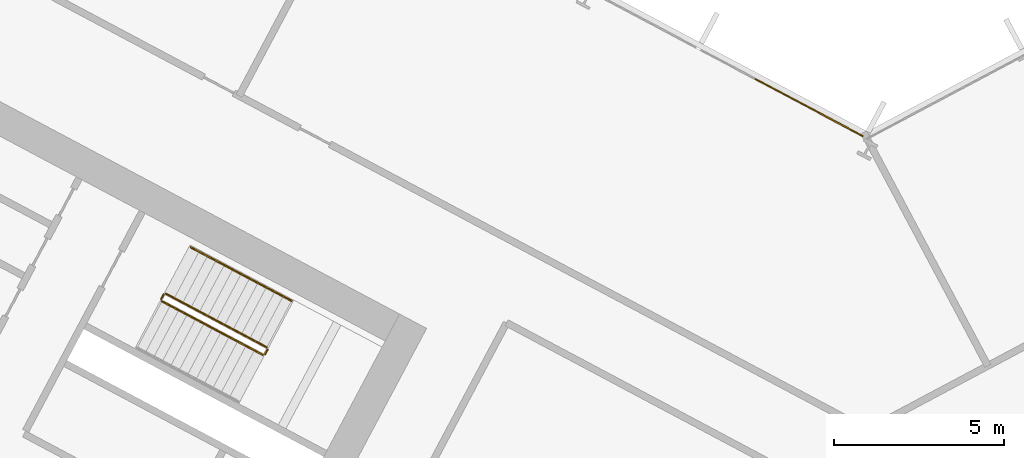
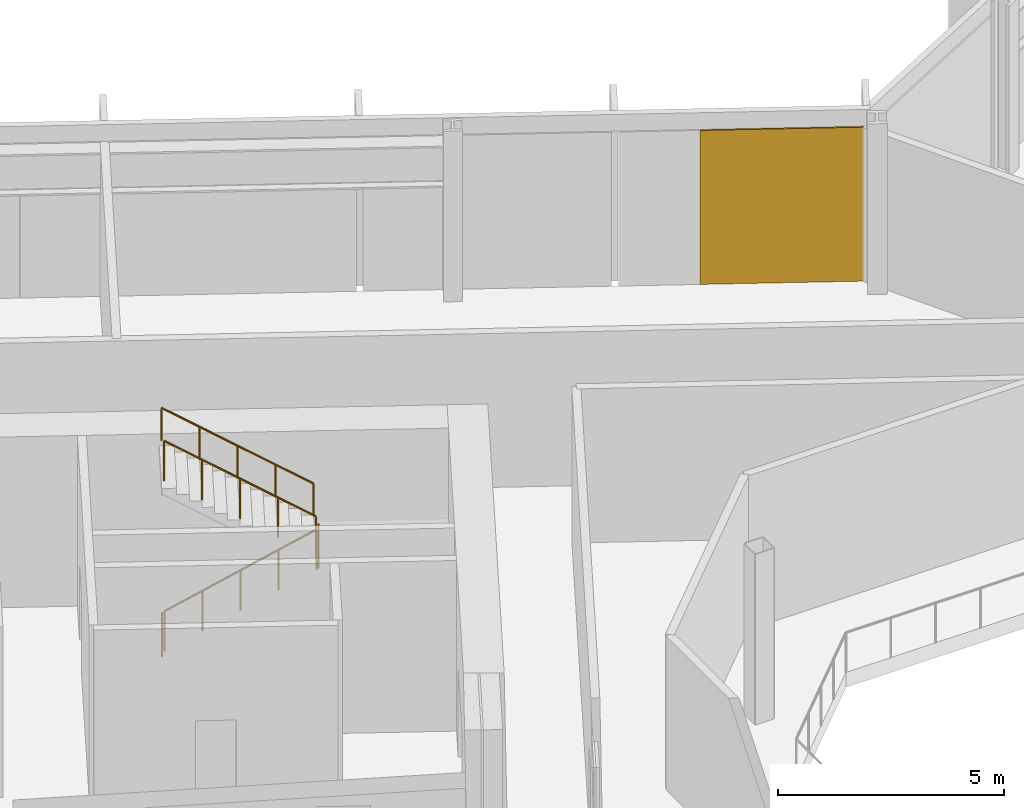
# One storey, part 25 of 31: 5 railings, 1 covering, 1 element without a shape of its own.
"""IFC4 building model written with IfcOpenShell, lengths in metres."""

import ifcopenshell
import ifcopenshell.guid

model = None  # the IFC model being written
_history = None  # IfcOwnerHistory: only IFC2X3 demands one
_inside = {}  # id of a spatial element -> (the spatial element, [elements in it])
_under = {}  # id of a project, library or spatial element -> (it, [spatial elements below it])
_declared = {}  # id of a project -> (the project, [libraries it declares])
_typed = {}  # id of a type object -> (the type object, [elements of that type])
_made_of = {}  # id of a material, layer set ... -> (it, [elements and type objects made of it])


def new_model(schema):
    """Start an empty IFC model of exactly this schema.

    Asked for "IFC4X3", IfcOpenShell would pick the latest addendum, in which some entities
    have other attributes; the version numbers below select the first issue.
    IFC2X3 requires an IfcOwnerHistory on every rooted entity: one is made here for all.
    """
    global model, _history
    if schema == "IFC4X3":
        model = ifcopenshell.file(schema_version=(4, 3, 0, 0))
    else:
        model = ifcopenshell.file(schema=schema)
    _inside.clear()
    _under.clear()
    _declared.clear()
    _typed.clear()
    _made_of.clear()
    _history = None
    if model.schema == "IFC2X3":
        org = make("IfcOrganization", Name="unknown")
        user = make(
            "IfcPersonAndOrganization",
            ThePerson=make("IfcPerson", FamilyName="unknown"),
            TheOrganization=org,
        )
        app = make(
            "IfcApplication",
            ApplicationDeveloper=org,
            Version="unknown",
            ApplicationFullName="unknown",
            ApplicationIdentifier="unknown",
        )
        _history = make(
            "IfcOwnerHistory",
            OwningUser=user,
            OwningApplication=app,
            ChangeAction="ADDED",
            CreationDate=0,
        )
    return model


def make(cls, **values):
    """One entity of the class cls with the attributes given. An attribute that is None is left unset."""
    return model.create_entity(
        cls, **{name: value for name, value in values.items() if value is not None}
    )


def rooted(cls, **values):
    """An entity with a GlobalId (a new one), such as an element, a storey or a relation."""
    return make(cls, GlobalId=ifcopenshell.guid.new(), OwnerHistory=_history, **values)


def si_unit(unit_type, name, prefix=None):
    """IfcSIUnit, for example si_unit("LENGTHUNIT", "METRE", prefix="MILLI")."""
    return make("IfcSIUnit", UnitType=unit_type, Prefix=prefix, Name=name)


def assignment(units):
    """IfcUnitAssignment: the units of a project."""
    return None if units is None else make("IfcUnitAssignment", Units=units)


def point(xyz):
    """IfcCartesianPoint."""
    return None if xyz is None else make("IfcCartesianPoint", Coordinates=xyz)


def direction(xyz):
    """IfcDirection."""
    return None if xyz is None else make("IfcDirection", DirectionRatios=xyz)


def frame(location, z_axis=None, x_axis=None):
    """IfcAxis2Placement3D, a coordinate frame: its origin and axes. An axis left out is left unset."""
    return make(
        "IfcAxis2Placement3D",
        Location=point(location),
        Axis=direction(z_axis),
        RefDirection=direction(x_axis),
    )


def frame_2d(location, x_axis=None):
    """IfcAxis2Placement2D, a coordinate frame in the plane: its origin and x axis."""
    return make(
        "IfcAxis2Placement2D", Location=point(location), RefDirection=direction(x_axis)
    )


def origin():
    """The frame at (0, 0, 0) with its axes left unset."""
    return frame((0.0, 0.0, 0.0))


def origin_2d():
    """The frame at (0, 0) in the plane with its x axis left unset."""
    return frame_2d((0.0, 0.0))


def place(relative_to, where):
    """IfcLocalPlacement: puts the frame where relative to a parent placement (None: the world)."""
    return make(
        "IfcLocalPlacement", PlacementRelTo=relative_to, RelativePlacement=where
    )


def context(
    kind, dimensions, precision=None, world=None, true_north=None, identifier=None
):
    """IfcGeometricRepresentationContext, for example the 3D "Model" context."""
    return make(
        "IfcGeometricRepresentationContext",
        ContextIdentifier=identifier,
        ContextType=kind,
        CoordinateSpaceDimension=dimensions,
        Precision=precision,
        WorldCoordinateSystem=world,
        TrueNorth=true_north,
    )


def subcontext(parent, identifier, kind, view, scale=None):
    """IfcGeometricRepresentationSubContext, for example "Body" below "Model"."""
    return make(
        "IfcGeometricRepresentationSubContext",
        ContextIdentifier=identifier,
        ContextType=kind,
        ParentContext=parent,
        TargetScale=scale,
        TargetView=view,
    )


def project(units=None, contexts=None):
    """IfcProject with its units and contexts."""
    return rooted(
        "IfcProject",
        Name="project",
        RepresentationContexts=contexts,
        UnitsInContext=assignment(units),
    )


def spatial(cls, under=None, at=None, **own):
    """A site, building, storey or space (cls), placed at a placement, below another one or the project."""
    s = rooted(cls, ObjectPlacement=at, **own)
    if under is not None:
        _under.setdefault(under.id(), (under, []))[1].append(s)
    return s


def polyline(points):
    """IfcPolyline through the points."""
    return make("IfcPolyline", Points=[point(p) for p in points])


def profile(cls, at=None, kind="AREA", **sizes):
    """A parametric profile (cls). Its sizes go by their IFC names, for example OverallWidth=200.0."""
    return make(cls, ProfileType=kind, Position=at, **sizes)


def rectangle(**sizes):
    """IfcRectangleProfileDef."""
    return profile("IfcRectangleProfileDef", **sizes)


def outline(outer, holes=None, kind="AREA"):
    """IfcArbitraryClosedProfileDef: a profile drawn as a closed curve; with holes, ...WithVoids."""
    if holes is None:
        return make("IfcArbitraryClosedProfileDef", ProfileType=kind, OuterCurve=outer)
    return make(
        "IfcArbitraryProfileDefWithVoids",
        ProfileType=kind,
        OuterCurve=outer,
        InnerCurves=holes,
    )


def extrude(swept, where, along, depth):
    """IfcExtrudedAreaSolid: the profile swept, set in the frame where, extruded along a direction by depth."""
    return make(
        "IfcExtrudedAreaSolid",
        SweptArea=swept,
        Position=where,
        ExtrudedDirection=direction(along),
        Depth=depth,
    )


def shape(context_of_items, identifier, shape_type, items):
    """IfcShapeRepresentation: the items that make up one representation, for example the "Body"."""
    return make(
        "IfcShapeRepresentation",
        ContextOfItems=context_of_items,
        RepresentationIdentifier=identifier,
        RepresentationType=shape_type,
        Items=items,
    )


def material(Name=None, Category=None):
    """IfcMaterial."""
    return make("IfcMaterial", Name=Name, Category=Category)


def layer(
    of_material, thickness, ventilated=None, Name=None, Category=None, Priority=None
):
    """IfcMaterialLayer: one layer of a wall or slab, of a material (None: an air gap)."""
    return make(
        "IfcMaterialLayer",
        Material=of_material,
        LayerThickness=thickness,
        IsVentilated=ventilated,
        Name=Name,
        Category=Category,
        Priority=Priority,
    )


def layer_set(layers, Name=None):
    """IfcMaterialLayerSet."""
    return make("IfcMaterialLayerSet", MaterialLayers=layers, LayerSetName=Name)


def made_of(thing, what):
    """Note that an element or type object is made of a material, layer set ...; save() writes the relation."""
    if what is not None:
        _made_of.setdefault(what.id(), (what, []))[1].append(thing)
    return thing


def type_object(cls, material=None, **own):
    """A type object (cls), such as IfcWallType, which elements share."""
    return made_of(rooted(cls, **own), material)


def element(
    cls,
    number,
    at=None,
    inside=None,
    cuts=None,
    type_object=None,
    material=None,
    context=None,
    identifier="Body",
    shape_type=None,
    held_by="IfcProductDefinitionShape",
    body=None,
    shapes=None,
    **own,
):
    """One element of the class cls, such as IfcWall. Its Tag is "e" and its number.

    at: its placement. inside: the storey or other place that contains it. cuts: it is an
    opening in that element (IfcRelVoidsElement). A single representation is given by context,
    identifier, shape_type and body (its items); several are given by shapes. held_by: the class
    of the entity that holds the representations. save() writes the other relations.
    """
    e = rooted(cls, Tag="e%d" % number, ObjectPlacement=at, **own)
    if body is not None:
        shapes = [shape(context, identifier, shape_type, body)]
    if shapes is not None:
        e.Representation = make(held_by, Representations=shapes)
    if inside is not None:
        _inside.setdefault(inside.id(), (inside, []))[1].append(e)
    if cuts is not None:
        rooted(
            "IfcRelVoidsElement", RelatingBuildingElement=cuts, RelatedOpeningElement=e
        )
    if type_object is not None:
        _typed.setdefault(type_object.id(), (type_object, []))[1].append(e)
    return made_of(e, material)


def aggregate(whole, parts):
    """IfcRelAggregates: a whole, such as a stair, and the parts it consists of."""
    return rooted("IfcRelAggregates", RelatingObject=whole, RelatedObjects=parts)


def save(model, path):
    """Write the relations noted so far, then the file.

    IfcRelAggregates (storeys below a building ...), IfcRelContainedInSpatialStructure (elements
    in a storey), IfcRelDefinesByType, IfcRelAssociatesMaterial and IfcRelDeclares: one each for
    every whole, place, type object, material and project.
    """
    for whole, parts in _under.values():
        aggregate(whole, parts)
    for where, things in _inside.values():
        rooted(
            "IfcRelContainedInSpatialStructure",
            RelatedElements=things,
            RelatingStructure=where,
        )
    for kind, things in _typed.values():
        rooted("IfcRelDefinesByType", RelatedObjects=things, RelatingType=kind)
    for what, things in _made_of.values():
        rooted("IfcRelAssociatesMaterial", RelatedObjects=things, RelatingMaterial=what)
    for by, libraries in _declared.values():
        rooted("IfcRelDeclares", RelatingContext=by, RelatedDefinitions=libraries)
    model.write(path)


model = new_model("IFC4")

# Units and contexts
model_context = context("Model", 3, precision=1e-05, world=origin(), true_north=direction((0.0, 1.0)))
body_context = subcontext(model_context, "Body", "Model", "MODEL_VIEW")
ifc_project = project(units=[si_unit("LENGTHUNIT", "METRE"), si_unit("AREAUNIT", "SQUARE_METRE"), si_unit("VOLUMEUNIT", "CUBIC_METRE"), si_unit("PLANEANGLEUNIT", "RADIAN"), si_unit("MASSUNIT", "GRAM", prefix="KILO")], contexts=[model_context])

# Site, building, storey
site_placement = place(None, origin())
site = spatial("IfcSite", under=ifc_project, at=site_placement, CompositionType="ELEMENT")
building_placement = place(site_placement, origin())
building = spatial("IfcBuilding", under=site, at=building_placement, Name="Cormorant Relay Tower", CompositionType="ELEMENT")
storey_placement = place(building_placement, frame((0.0, 0.0, 107.60009765625)))
storey = spatial("IfcBuildingStorey", under=building, at=storey_placement, Name="L21", CompositionType="ELEMENT", Elevation=107.60009765625)

# Curtain wall, covering
ifc_material_1 = material(Name="Aluminium 6063-T6 anodised bronze", Category="aluminium")
ifc_layer_1 = layer(ifc_material_1, 0.199951171875)
ifc_layer_set_1 = layer_set([ifc_layer_1], Name="CW1 unitised bronze curtain wall with vertical fins")
curtain_wall_type = type_object("IfcCurtainWallType", Name="CW1 unitised bronze curtain wall with vertical fins", PredefinedType="NOTDEFINED", material=ifc_layer_set_1)
curtain_wall_placement = place(storey_placement, origin())
curtain_wall = element("IfcCurtainWall", 1, at=curtain_wall_placement, inside=storey, type_object=curtain_wall_type, Name="CW1 curtain wall 7", PredefinedType="NOTDEFINED")
ifc_material_2 = material(Name="Pale bronze anodised aluminium insulated panel", Category="aluminium")
ifc_layer_2 = layer(ifc_material_2, 0.0400390625)
ifc_layer_set_2 = layer_set([ifc_layer_2], Name="CW1 pale bronze insulated panel 40")
covering_type = type_object("IfcCoveringType", Name="CW1 pale bronze insulated panel 40", PredefinedType="CLADDING", material=ifc_layer_set_2)
covering_placement = place(storey_placement, frame((-1.718505859375, 24.720458984375, 0.0), z_axis=(0.0, 0.0, 1.0), x_axis=(-0.882947592859, 0.469471562786, 0.0)))
covering = element("IfcCovering", 2, at=covering_placement, type_object=covering_type, Name="CW1 panel S00", PredefinedType="CLADDING", context=body_context, shape_type="SweptSolid", body=[
    extrude(rectangle(XDim=3.614013671875, YDim=0.0400390625, at=origin_2d()), origin(), (0.0, 0.0, 1.0), 4.14990234375),
])
aggregate(curtain_wall, [covering])

# Railings
ifc_material_3 = material(Name="Steel ASTM A572 Grade 50 (Fy 345 MPa)", Category="steel")
railing_type_1 = type_object("IfcRailingType", Name="Stair guard 1100", PredefinedType="GUARDRAIL", material=ifc_material_3)
railing_1_placement = place(storey_placement, frame((-20.75048828125, 19.017822265625, 0.1767578125)))
element("IfcRailing", 3, at=railing_1_placement, inside=storey, type_object=railing_type_1, Name="L21 A1 stair guard 1", PredefinedType="GUARDRAIL", context=body_context, shape_type="SweptSolid", body=[
    extrude(outline(polyline([(0.022216796875, 0.00927734375), (0.00927734375, 0.022216796875), (-0.00927734375, 0.022216796875), (-0.022216796875, 0.00927734375), (-0.022216796875, -0.00927734375), (-0.00927734375, -0.022216796875), (0.00927734375, -0.022216796875), (0.022216796875, -0.00927734375), (0.022216796875, 0.00927734375)])), frame((0.0, 0.0, 1.076171875), z_axis=(0.746413465702, -0.396887285154, 0.534179203172), x_axis=(0.469482818608, 0.88294160794, 0.0)), (0.0, 0.0, 1.0), 3.974365234375),
    extrude(outline(polyline([(0.019287109375, 0.008056640625), (0.008056640625, 0.019287109375), (-0.008056640625, 0.019287109375), (-0.019287109375, 0.008056640625), (-0.019287109375, -0.008056640625), (-0.008056640625, -0.019287109375), (0.008056640625, -0.019287109375), (0.019287109375, -0.008056640625), (0.019287109375, 0.008056640625)])), origin(), (0.0, 0.0, 1.0), 1.052001953125),
    extrude(outline(polyline([(0.019287109375, 0.008056640625), (0.008056640625, 0.019287109375), (-0.008056640625, 0.019287109375), (-0.019287109375, 0.008056640625), (-0.019287109375, -0.008056640625), (-0.008056640625, -0.019287109375), (0.008056640625, -0.019287109375), (0.019287109375, -0.008056640625), (0.019287109375, 0.008056640625)])), frame((0.74169921875, -0.394287109375, 0.53076171875)), (0.0, 0.0, 1.0), 1.052001953125),
    extrude(outline(polyline([(0.019287109375, 0.008056640625), (0.008056640625, 0.019287109375), (-0.008056640625, 0.019287109375), (-0.019287109375, 0.008056640625), (-0.019287109375, -0.008056640625), (-0.008056640625, -0.019287109375), (0.008056640625, -0.019287109375), (0.019287109375, -0.008056640625), (0.019287109375, 0.008056640625)])), frame((1.4833984375, -0.78857421875, 1.0615234375)), (0.0, 0.0, 1.0), 1.052001953125),
    extrude(outline(polyline([(0.019287109375, 0.008056640625), (0.008056640625, 0.019287109375), (-0.008056640625, 0.019287109375), (-0.019287109375, 0.008056640625), (-0.019287109375, -0.008056640625), (-0.008056640625, -0.019287109375), (0.008056640625, -0.019287109375), (0.019287109375, -0.008056640625), (0.019287109375, 0.008056640625)])), frame((2.224853515625, -1.18310546875, 1.59228515625)), (0.0, 0.0, 1.0), 1.052001953125),
    extrude(outline(polyline([(0.019287109375, 0.008056640625), (0.008056640625, 0.019287109375), (-0.008056640625, 0.019287109375), (-0.019287109375, 0.008056640625), (-0.019287109375, -0.008056640625), (-0.008056640625, -0.019287109375), (0.008056640625, -0.019287109375), (0.019287109375, -0.008056640625), (0.019287109375, 0.008056640625)])), frame((2.966552734375, -1.577392578125, 2.123046875)), (0.0, 0.0, 1.0), 1.052001953125),
])
railing_2_placement = place(storey_placement, frame((-17.71630859375, 17.461181640625, 2.2998046875)))
element("IfcRailing", 4, at=railing_2_placement, inside=storey, type_object=railing_type_1, Name="L21 A1 stair guard 2", PredefinedType="GUARDRAIL", context=body_context, shape_type="SweptSolid", body=[
    extrude(outline(polyline([(0.022216796875, 0.00927734375), (0.00927734375, 0.022216796875), (-0.00927734375, 0.022216796875), (-0.022216796875, 0.00927734375), (-0.022216796875, -0.00927734375), (-0.00927734375, -0.022216796875), (0.00927734375, -0.022216796875), (0.022216796875, -0.00927734375), (0.022216796875, 0.00927734375)])), frame((0.0, 0.0, 1.076171875), z_axis=(0.470503732759, 0.882398003998, 0.0), x_axis=(-0.882398003998, 0.470503732759, 0.0)), (0.0, 0.0, 1.0), 0.14990234375),
    extrude(outline(polyline([(0.019287109375, 0.008056640625), (0.008056640625, 0.019287109375), (-0.008056640625, 0.019287109375), (-0.019287109375, 0.008056640625), (-0.019287109375, -0.008056640625), (-0.008056640625, -0.019287109375), (0.008056640625, -0.019287109375), (0.019287109375, -0.008056640625), (0.019287109375, 0.008056640625)])), origin(), (0.0, 0.0, 1.0), 1.052001953125),
    extrude(outline(polyline([(0.019287109375, 0.008056640625), (0.008056640625, 0.019287109375), (-0.008056640625, 0.019287109375), (-0.019287109375, 0.008056640625), (-0.019287109375, -0.008056640625), (-0.008056640625, -0.019287109375), (0.008056640625, -0.019287109375), (0.019287109375, -0.008056640625), (0.019287109375, 0.008056640625)])), frame((0.070556640625, 0.13232421875, 0.0)), (0.0, 0.0, 1.0), 1.052001953125),
])
railing_3_placement = place(storey_placement, frame((-17.66650390625, 17.6611328125, 2.476806640625)))
element("IfcRailing", 5, at=railing_3_placement, inside=storey, type_object=railing_type_1, Name="L21 A1 stair guard 3", PredefinedType="GUARDRAIL", context=body_context, shape_type="SweptSolid", body=[
    extrude(outline(polyline([(0.022216796875, 0.00927734375), (0.00927734375, 0.022216796875), (-0.00927734375, 0.022216796875), (-0.022216796875, 0.00927734375), (-0.022216796875, -0.00927734375), (-0.00927734375, -0.022216796875), (0.00927734375, -0.022216796875), (0.022216796875, -0.00927734375), (0.022216796875, 0.00927734375)])), frame((0.0, 0.0, 1.076171875), z_axis=(-0.746440668329, 0.396869088057, 0.534154711306), x_axis=(-0.46945269911, -0.882957622595, 0.0)), (0.0, 0.0, 1.0), 3.974609375),
    extrude(outline(polyline([(0.019287109375, 0.008056640625), (0.008056640625, 0.019287109375), (-0.008056640625, 0.019287109375), (-0.019287109375, 0.008056640625), (-0.019287109375, -0.008056640625), (-0.008056640625, -0.019287109375), (0.008056640625, -0.019287109375), (0.019287109375, -0.008056640625), (0.019287109375, 0.008056640625)])), origin(), (0.0, 0.0, 1.0), 1.052001953125),
    extrude(outline(polyline([(0.019287109375, 0.008056640625), (0.008056640625, 0.019287109375), (-0.008056640625, 0.019287109375), (-0.019287109375, 0.008056640625), (-0.019287109375, -0.008056640625), (-0.008056640625, -0.019287109375), (0.008056640625, -0.019287109375), (0.019287109375, -0.008056640625), (0.019287109375, 0.008056640625)])), frame((-0.74169921875, 0.394287109375, 0.53076171875)), (0.0, 0.0, 1.0), 1.052001953125),
    extrude(outline(polyline([(0.019287109375, 0.008056640625), (0.008056640625, 0.019287109375), (-0.008056640625, 0.019287109375), (-0.019287109375, 0.008056640625), (-0.019287109375, -0.008056640625), (-0.008056640625, -0.019287109375), (0.008056640625, -0.019287109375), (0.019287109375, -0.008056640625), (0.019287109375, 0.008056640625)])), frame((-1.4833984375, 0.78857421875, 1.0615234375)), (0.0, 0.0, 1.0), 1.052001953125),
    extrude(outline(polyline([(0.019287109375, 0.008056640625), (0.008056640625, 0.019287109375), (-0.008056640625, 0.019287109375), (-0.019287109375, 0.008056640625), (-0.019287109375, -0.008056640625), (-0.008056640625, -0.019287109375), (0.008056640625, -0.019287109375), (0.019287109375, -0.008056640625), (0.019287109375, 0.008056640625)])), frame((-2.22509765625, 1.18310546875, 1.59228515625)), (0.0, 0.0, 1.0), 1.052001953125),
    extrude(outline(polyline([(0.019287109375, 0.008056640625), (0.008056640625, 0.019287109375), (-0.008056640625, 0.019287109375), (-0.019287109375, 0.008056640625), (-0.019287109375, -0.008056640625), (-0.008056640625, -0.019287109375), (0.008056640625, -0.019287109375), (0.019287109375, -0.008056640625), (0.019287109375, 0.008056640625)])), frame((-2.966796875, 1.577392578125, 2.123046875)), (0.0, 0.0, 1.0), 1.052001953125),
])
railing_4_placement = place(storey_placement, frame((-20.771240234375, 19.08544921875, 0.0)))
element("IfcRailing", 6, at=railing_4_placement, inside=storey, type_object=railing_type_1, Name="L21 A1 stair guard 4", PredefinedType="GUARDRAIL", context=body_context, shape_type="SweptSolid", body=[
    extrude(outline(polyline([(0.022216796875, 0.00927734375), (0.00927734375, 0.022216796875), (-0.00927734375, 0.022216796875), (-0.022216796875, 0.00927734375), (-0.022216796875, -0.00927734375), (-0.00927734375, -0.022216796875), (0.00927734375, -0.022216796875), (0.022216796875, -0.00927734375), (0.022216796875, 0.00927734375)])), frame((0.0, 0.0, 1.076171875), z_axis=(0.469828648786, 0.882757634224, 0.0), x_axis=(-0.882757634224, 0.469828648786, 0.0)), (0.0, 0.0, 1.0), 0.150146484375),
    extrude(outline(polyline([(0.019287109375, 0.008056640625), (0.008056640625, 0.019287109375), (-0.008056640625, 0.019287109375), (-0.019287109375, 0.008056640625), (-0.019287109375, -0.008056640625), (-0.008056640625, -0.019287109375), (0.008056640625, -0.019287109375), (0.019287109375, -0.008056640625), (0.019287109375, 0.008056640625)])), origin(), (0.0, 0.0, 1.0), 1.052001953125),
    extrude(outline(polyline([(0.019287109375, 0.008056640625), (0.008056640625, 0.019287109375), (-0.008056640625, 0.019287109375), (-0.019287109375, 0.008056640625), (-0.019287109375, -0.008056640625), (-0.008056640625, -0.019287109375), (0.008056640625, -0.019287109375), (0.019287109375, -0.008056640625), (0.019287109375, 0.008056640625)])), frame((0.070556640625, 0.132568359375, 0.0)), (0.0, 0.0, 1.0), 1.052001953125),
])
ifc_material_4 = material(Name="Steel ASTM A572 Grade 50 (Fy 345 MPa)", Category="steel")
railing_type_2 = type_object("IfcRailingType", Name="Stair handrail 900", PredefinedType="HANDRAIL", material=ifc_material_4)
railing_5_placement = place(storey_placement, frame((-16.938720703125, 19.02978515625, 2.476806640625)))
element("IfcRailing", 7, at=railing_5_placement, inside=storey, type_object=railing_type_2, Name="L21 A1 stair handrail 2", PredefinedType="HANDRAIL", context=body_context, shape_type="SweptSolid", body=[
    extrude(outline(polyline([(0.022216796875, 0.00927734375), (0.00927734375, 0.022216796875), (-0.00927734375, 0.022216796875), (-0.022216796875, 0.00927734375), (-0.022216796875, -0.00927734375), (-0.00927734375, -0.022216796875), (0.00927734375, -0.022216796875), (0.022216796875, -0.00927734375), (0.022216796875, 0.00927734375)])), frame((0.0, 0.0, 0.8759765625), z_axis=(-0.746440668329, 0.396869088057, 0.534154711306), x_axis=(-0.46945269911, -0.882957622595, 0.0)), (0.0, 0.0, 1.0), 3.974609375),
    extrude(outline(polyline([(0.019287109375, 0.008056640625), (0.008056640625, 0.019287109375), (-0.008056640625, 0.019287109375), (-0.019287109375, 0.008056640625), (-0.019287109375, -0.008056640625), (-0.008056640625, -0.019287109375), (0.008056640625, -0.019287109375), (0.019287109375, -0.008056640625), (0.019287109375, 0.008056640625)])), origin(), (0.0, 0.0, 1.0), 0.851806640625),
    extrude(outline(polyline([(0.019287109375, 0.008056640625), (0.008056640625, 0.019287109375), (-0.008056640625, 0.019287109375), (-0.019287109375, 0.008056640625), (-0.019287109375, -0.008056640625), (-0.008056640625, -0.019287109375), (0.008056640625, -0.019287109375), (0.019287109375, -0.008056640625), (0.019287109375, 0.008056640625)])), frame((-0.74169921875, 0.394287109375, 0.53076171875)), (0.0, 0.0, 1.0), 0.851806640625),
    extrude(outline(polyline([(0.019287109375, 0.008056640625), (0.008056640625, 0.019287109375), (-0.008056640625, 0.019287109375), (-0.019287109375, 0.008056640625), (-0.019287109375, -0.008056640625), (-0.008056640625, -0.019287109375), (0.008056640625, -0.019287109375), (0.019287109375, -0.008056640625), (0.019287109375, 0.008056640625)])), frame((-1.4833984375, 0.78857421875, 1.0615234375)), (0.0, 0.0, 1.0), 0.851806640625),
    extrude(outline(polyline([(0.019287109375, 0.008056640625), (0.008056640625, 0.019287109375), (-0.008056640625, 0.019287109375), (-0.019287109375, 0.008056640625), (-0.019287109375, -0.008056640625), (-0.008056640625, -0.019287109375), (0.008056640625, -0.019287109375), (0.019287109375, -0.008056640625), (0.019287109375, 0.008056640625)])), frame((-2.22509765625, 1.18310546875, 1.59228515625)), (0.0, 0.0, 1.0), 0.851806640625),
    extrude(outline(polyline([(0.019287109375, 0.008056640625), (0.008056640625, 0.019287109375), (-0.008056640625, 0.019287109375), (-0.019287109375, 0.008056640625), (-0.019287109375, -0.008056640625), (-0.008056640625, -0.019287109375), (0.008056640625, -0.019287109375), (0.019287109375, -0.008056640625), (0.019287109375, 0.008056640625)])), frame((-2.966796875, 1.577392578125, 2.123046875)), (0.0, 0.0, 1.0), 0.851806640625),
])

save(model, "model.ifc")
